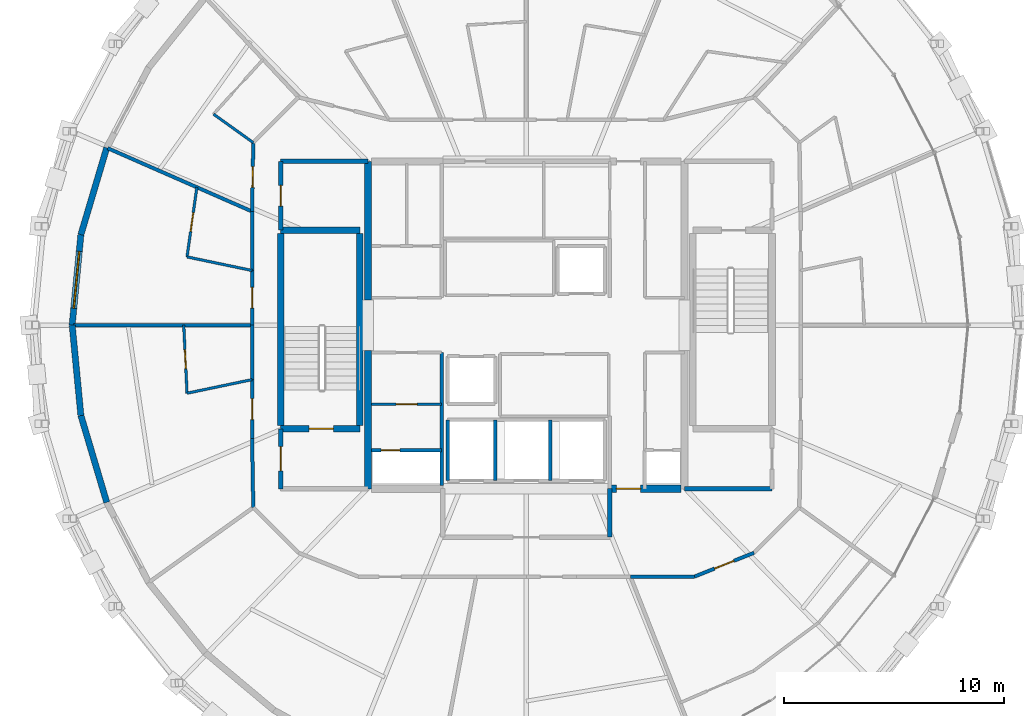
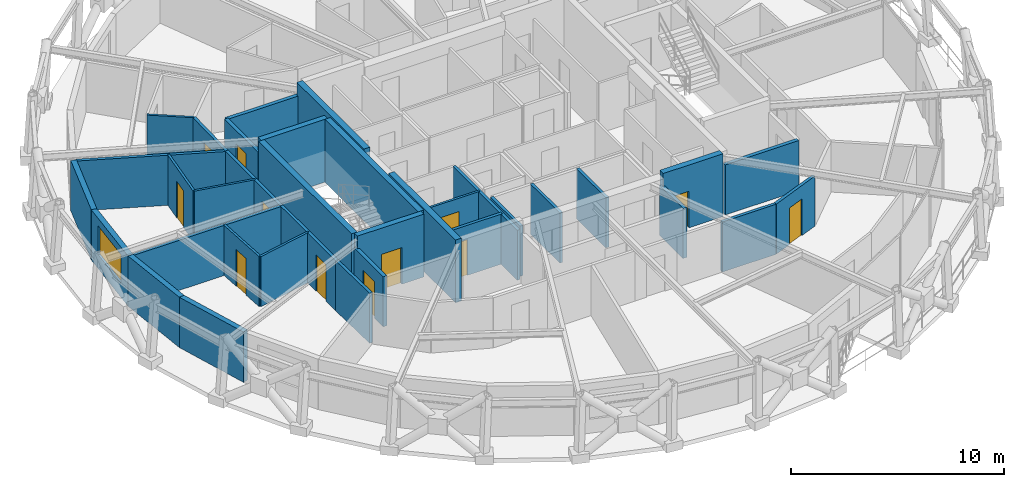
# One storey, part 11 of 15: 37 walls, 12 doors, 1 window, 13 openings.
"""IFC4 building model written with IfcOpenShell, lengths in metres."""

import ifcopenshell
import ifcopenshell.guid

model = None  # the IFC model being written
_history = None  # IfcOwnerHistory: only IFC2X3 demands one
_inside = {}  # id of a spatial element -> (the spatial element, [elements in it])
_under = {}  # id of a project, library or spatial element -> (it, [spatial elements below it])
_declared = {}  # id of a project -> (the project, [libraries it declares])
_typed = {}  # id of a type object -> (the type object, [elements of that type])
_made_of = {}  # id of a material, layer set ... -> (it, [elements and type objects made of it])


def new_model(schema):
    """Start an empty IFC model of exactly this schema.

    Asked for "IFC4X3", IfcOpenShell would pick the latest addendum, in which some entities
    have other attributes; the version numbers below select the first issue.
    IFC2X3 requires an IfcOwnerHistory on every rooted entity: one is made here for all.
    """
    global model, _history
    if schema == "IFC4X3":
        model = ifcopenshell.file(schema_version=(4, 3, 0, 0))
    else:
        model = ifcopenshell.file(schema=schema)
    _inside.clear()
    _under.clear()
    _declared.clear()
    _typed.clear()
    _made_of.clear()
    _history = None
    if model.schema == "IFC2X3":
        org = make("IfcOrganization", Name="unknown")
        user = make(
            "IfcPersonAndOrganization",
            ThePerson=make("IfcPerson", FamilyName="unknown"),
            TheOrganization=org,
        )
        app = make(
            "IfcApplication",
            ApplicationDeveloper=org,
            Version="unknown",
            ApplicationFullName="unknown",
            ApplicationIdentifier="unknown",
        )
        _history = make(
            "IfcOwnerHistory",
            OwningUser=user,
            OwningApplication=app,
            ChangeAction="ADDED",
            CreationDate=0,
        )
    return model


def make(cls, **values):
    """One entity of the class cls with the attributes given. An attribute that is None is left unset."""
    return model.create_entity(
        cls, **{name: value for name, value in values.items() if value is not None}
    )


def rooted(cls, **values):
    """An entity with a GlobalId (a new one), such as an element, a storey or a relation."""
    return make(cls, GlobalId=ifcopenshell.guid.new(), OwnerHistory=_history, **values)


def si_unit(unit_type, name, prefix=None):
    """IfcSIUnit, for example si_unit("LENGTHUNIT", "METRE", prefix="MILLI")."""
    return make("IfcSIUnit", UnitType=unit_type, Prefix=prefix, Name=name)


def assignment(units):
    """IfcUnitAssignment: the units of a project."""
    return None if units is None else make("IfcUnitAssignment", Units=units)


def point(xyz):
    """IfcCartesianPoint."""
    return None if xyz is None else make("IfcCartesianPoint", Coordinates=xyz)


def direction(xyz):
    """IfcDirection."""
    return None if xyz is None else make("IfcDirection", DirectionRatios=xyz)


def frame(location, z_axis=None, x_axis=None):
    """IfcAxis2Placement3D, a coordinate frame: its origin and axes. An axis left out is left unset."""
    return make(
        "IfcAxis2Placement3D",
        Location=point(location),
        Axis=direction(z_axis),
        RefDirection=direction(x_axis),
    )


def frame_2d(location, x_axis=None):
    """IfcAxis2Placement2D, a coordinate frame in the plane: its origin and x axis."""
    return make(
        "IfcAxis2Placement2D", Location=point(location), RefDirection=direction(x_axis)
    )


def origin():
    """The frame at (0, 0, 0) with its axes left unset."""
    return frame((0.0, 0.0, 0.0))


def place(relative_to, where):
    """IfcLocalPlacement: puts the frame where relative to a parent placement (None: the world)."""
    return make(
        "IfcLocalPlacement", PlacementRelTo=relative_to, RelativePlacement=where
    )


def context(
    kind, dimensions, precision=None, world=None, true_north=None, identifier=None
):
    """IfcGeometricRepresentationContext, for example the 3D "Model" context."""
    return make(
        "IfcGeometricRepresentationContext",
        ContextIdentifier=identifier,
        ContextType=kind,
        CoordinateSpaceDimension=dimensions,
        Precision=precision,
        WorldCoordinateSystem=world,
        TrueNorth=true_north,
    )


def subcontext(parent, identifier, kind, view, scale=None):
    """IfcGeometricRepresentationSubContext, for example "Body" below "Model"."""
    return make(
        "IfcGeometricRepresentationSubContext",
        ContextIdentifier=identifier,
        ContextType=kind,
        ParentContext=parent,
        TargetScale=scale,
        TargetView=view,
    )


def project(units=None, contexts=None):
    """IfcProject with its units and contexts."""
    return rooted(
        "IfcProject",
        Name="project",
        RepresentationContexts=contexts,
        UnitsInContext=assignment(units),
    )


def spatial(cls, under=None, at=None, **own):
    """A site, building, storey or space (cls), placed at a placement, below another one or the project."""
    s = rooted(cls, ObjectPlacement=at, **own)
    if under is not None:
        _under.setdefault(under.id(), (under, []))[1].append(s)
    return s


def profile(cls, at=None, kind="AREA", **sizes):
    """A parametric profile (cls). Its sizes go by their IFC names, for example OverallWidth=200.0."""
    return make(cls, ProfileType=kind, Position=at, **sizes)


def rectangle(**sizes):
    """IfcRectangleProfileDef."""
    return profile("IfcRectangleProfileDef", **sizes)


def extrude(swept, where, along, depth):
    """IfcExtrudedAreaSolid: the profile swept, set in the frame where, extruded along a direction by depth."""
    return make(
        "IfcExtrudedAreaSolid",
        SweptArea=swept,
        Position=where,
        ExtrudedDirection=direction(along),
        Depth=depth,
    )


def shape(context_of_items, identifier, shape_type, items):
    """IfcShapeRepresentation: the items that make up one representation, for example the "Body"."""
    return make(
        "IfcShapeRepresentation",
        ContextOfItems=context_of_items,
        RepresentationIdentifier=identifier,
        RepresentationType=shape_type,
        Items=items,
    )


def material(Name=None, Category=None):
    """IfcMaterial."""
    return make("IfcMaterial", Name=Name, Category=Category)


def layer(
    of_material, thickness, ventilated=None, Name=None, Category=None, Priority=None
):
    """IfcMaterialLayer: one layer of a wall or slab, of a material (None: an air gap)."""
    return make(
        "IfcMaterialLayer",
        Material=of_material,
        LayerThickness=thickness,
        IsVentilated=ventilated,
        Name=Name,
        Category=Category,
        Priority=Priority,
    )


def layer_set(layers, Name=None):
    """IfcMaterialLayerSet."""
    return make("IfcMaterialLayerSet", MaterialLayers=layers, LayerSetName=Name)


def made_of(thing, what):
    """Note that an element or type object is made of a material, layer set ...; save() writes the relation."""
    if what is not None:
        _made_of.setdefault(what.id(), (what, []))[1].append(thing)
    return thing


def type_object(cls, material=None, **own):
    """A type object (cls), such as IfcWallType, which elements share."""
    return made_of(rooted(cls, **own), material)


def element(
    cls,
    number,
    at=None,
    inside=None,
    cuts=None,
    type_object=None,
    material=None,
    context=None,
    identifier="Body",
    shape_type=None,
    held_by="IfcProductDefinitionShape",
    body=None,
    shapes=None,
    **own,
):
    """One element of the class cls, such as IfcWall. Its Tag is "e" and its number.

    at: its placement. inside: the storey or other place that contains it. cuts: it is an
    opening in that element (IfcRelVoidsElement). A single representation is given by context,
    identifier, shape_type and body (its items); several are given by shapes. held_by: the class
    of the entity that holds the representations. save() writes the other relations.
    """
    e = rooted(cls, Tag="e%d" % number, ObjectPlacement=at, **own)
    if body is not None:
        shapes = [shape(context, identifier, shape_type, body)]
    if shapes is not None:
        e.Representation = make(held_by, Representations=shapes)
    if inside is not None:
        _inside.setdefault(inside.id(), (inside, []))[1].append(e)
    if cuts is not None:
        rooted(
            "IfcRelVoidsElement", RelatingBuildingElement=cuts, RelatedOpeningElement=e
        )
    if type_object is not None:
        _typed.setdefault(type_object.id(), (type_object, []))[1].append(e)
    return made_of(e, material)


def fill(opening, filler):
    """IfcRelFillsElement: the door or window that sits in an opening."""
    return rooted(
        "IfcRelFillsElement",
        RelatingOpeningElement=opening,
        RelatedBuildingElement=filler,
    )


def aggregate(whole, parts):
    """IfcRelAggregates: a whole, such as a stair, and the parts it consists of."""
    return rooted("IfcRelAggregates", RelatingObject=whole, RelatedObjects=parts)


def save(model, path):
    """Write the relations noted so far, then the file.

    IfcRelAggregates (storeys below a building ...), IfcRelContainedInSpatialStructure (elements
    in a storey), IfcRelDefinesByType, IfcRelAssociatesMaterial and IfcRelDeclares: one each for
    every whole, place, type object, material and project.
    """
    for whole, parts in _under.values():
        aggregate(whole, parts)
    for where, things in _inside.values():
        rooted(
            "IfcRelContainedInSpatialStructure",
            RelatedElements=things,
            RelatingStructure=where,
        )
    for kind, things in _typed.values():
        rooted("IfcRelDefinesByType", RelatedObjects=things, RelatingType=kind)
    for what, things in _made_of.values():
        rooted("IfcRelAssociatesMaterial", RelatedObjects=things, RelatingMaterial=what)
    for by, libraries in _declared.values():
        rooted("IfcRelDeclares", RelatingContext=by, RelatedDefinitions=libraries)
    model.write(path)


model = new_model("IFC4")

# Units and contexts
model_context = context("Model", 3, precision=1e-05, world=origin(), true_north=direction((0.0, 1.0)))
body_context = subcontext(model_context, "Body", "Model", "MODEL_VIEW")
ifc_project = project(units=[si_unit("LENGTHUNIT", "METRE"), si_unit("AREAUNIT", "SQUARE_METRE"), si_unit("VOLUMEUNIT", "CUBIC_METRE"), si_unit("PLANEANGLEUNIT", "RADIAN"), si_unit("MASSUNIT", "GRAM", prefix="KILO")], contexts=[model_context])

# Site, building, storey
site_placement = place(None, origin())
site = spatial("IfcSite", under=ifc_project, at=site_placement, CompositionType="ELEMENT")
building_placement = place(site_placement, origin())
building = spatial("IfcBuilding", under=site, at=building_placement, Name="Veldorina Hangang Commons", CompositionType="ELEMENT")
storey_placement = place(building_placement, frame((0.0, 0.0, 254.39990234375)))
storey = spatial("IfcBuildingStorey", under=building, at=storey_placement, Name="L66", CompositionType="ELEMENT", Elevation=254.39990234375)

# Walls
ifc_material_1 = material(Name="Concrete C50/60", Category="concrete")
ifc_layer_1 = layer(ifc_material_1, 0.320068359375)
ifc_layer_set_1 = layer_set([ifc_layer_1], Name="Concrete C50/60")
wall_type_1 = type_object("IfcWallType", Name="CW-RC320-C50", PredefinedType="SHEAR", material=ifc_layer_set_1)
for number, where, z_axis, x_axis, name in (
    (1, (24.800048828125, 16.550048828125, 0.0), (0.0, 0.0, 1.0), (0.0, 1.0, 0.0), "L66 W south core shear wall"),
    (2, (24.800048828125, 25.14990234375, 0.0), (0.0, 0.0, 1.0), (0.0, 1.0, 0.0), "L66 W north core shear wall"),
):
    element("IfcWall", number, at=place(storey_placement, frame(where, z_axis=z_axis, x_axis=x_axis)), inside=storey, type_object=wall_type_1, Name=name, PredefinedType="SHEAR", context=body_context, shape_type="SweptSolid", body=[
        extrude(rectangle(XDim=6.300048828125, YDim=0.320068359375, at=frame_2d((3.14990234375, 0.0))), origin(), (0.0, 0.0, 1.0), 3.60009765625),
    ])

# Wall, opening, door
wall_1_placement = place(storey_placement, frame((35.800048828125, 16.550048828125, 0.0), z_axis=(0.0, 0.0, 1.0), x_axis=(1.0, 0.0, 0.0)))
wall_1 = element("IfcWall", 3, at=wall_1_placement, inside=storey, type_object=wall_type_1, Name="L66 south-east core shear wall", PredefinedType="SHEAR", context=body_context, shape_type="SweptSolid", body=[
    extrude(rectangle(XDim=3.239990234375, YDim=0.320068359375, at=frame_2d((1.6201171875, 0.0))), origin(), (0.0, 0.0, 1.0), 3.60009765625),
])
opening_1_placement = place(wall_1_placement, frame((0.300048828125, 0.0, 0.0)))
opening_1 = element("IfcOpeningElement", 4, at=opening_1_placement, cuts=wall_1, Name="Opening D-08", PredefinedType="OPENING", context=body_context, shape_type="SweptSolid", body=[
    extrude(rectangle(XDim=1.10009765625, YDim=2.10009765625, at=frame_2d((0.550048828125, 1.050048828125))), frame((0.0, 0.169921875, 0.0), z_axis=(0.0, -1.0, 0.0), x_axis=(1.0, 0.0, 0.0)), (0.0, 0.0, 1.0), 0.340087890625),
])
ifc_material_2 = material(Name="Steel Fire-Rated Smoke Seal", Category="steel")
door_type_1 = type_object("IfcDoorType", Name="DR-FIRE-1100", OperationType="SINGLE_SWING_RIGHT", PredefinedType="DOOR", material=ifc_material_2)
door_1_placement = place(opening_1_placement, origin())
door_1 = element("IfcDoor", 5, at=door_1_placement, inside=storey, type_object=door_type_1, Name="L66 central lift lobby south corridor door", OperationType="SINGLE_SWING_RIGHT", OverallHeight=2.10009765625, OverallWidth=1.10009765625, PredefinedType="DOOR", context=body_context, shape_type="SweptSolid", body=[
    extrude(rectangle(XDim=1.10009765625, YDim=2.10009765625, at=frame_2d((0.550048828125, 1.050048828125))), frame((0.0, 0.02490234375, 0.0), z_axis=(0.0, -1.0, 0.0), x_axis=(1.0, 0.0, 0.0)), (0.0, 0.0, 1.0), 0.050048828125),
])
fill(opening_1, door_1)

# Wall
ifc_material_3 = material(Name="Stone Roman Travertine", Category="masonry")
ifc_layer_2 = layer(ifc_material_3, 0.280029296875)
ifc_layer_set_2 = layer_set([ifc_layer_2], Name="Stone Roman Travertine")
wall_type_2 = type_object("IfcWallType", Name="EW-TRAV-280", PredefinedType="STANDARD", material=ifc_layer_set_2)
wall_2_placement = place(storey_placement, frame((12.90380859375, 32.069091796875, 0.0), z_axis=(0.0, 0.0, 1.0), x_axis=(-0.285034907143, -0.958517136889, 0.0)))
element("IfcWall", 6, at=wall_2_placement, inside=storey, type_object=wall_type_2, Name="L66 travertine facade wall 14", PredefinedType="STANDARD", context=body_context, shape_type="SweptSolid", body=[
    extrude(rectangle(XDim=4.126708984375, YDim=0.280029296875, at=frame_2d((2.0634765625, 0.0))), origin(), (0.0, 0.0, 1.0), 2.880126953125),
])

# Wall, opening, window
wall_3_placement = place(storey_placement, frame((11.7275390625, 28.113525390625, 0.0), z_axis=(0.0, 0.0, 1.0), x_axis=(-0.096116513516, -0.995370089881, 0.0)))
wall_3 = element("IfcWall", 7, at=wall_3_placement, inside=storey, type_object=wall_type_2, Name="L66 travertine facade wall 15", PredefinedType="STANDARD", context=body_context, shape_type="SweptSolid", body=[
    extrude(rectangle(XDim=4.132568359375, YDim=0.280029296875, at=frame_2d((2.06640625, 0.0))), origin(), (0.0, 0.0, 1.0), 2.880126953125),
])
opening_2_placement = place(wall_3_placement, frame((0.766357421875, 0.0, 0.800048828125)))
opening_2 = element("IfcOpeningElement", 8, at=opening_2_placement, cuts=wall_3, Name="Opening W-02", PredefinedType="OPENING", context=body_context, shape_type="SweptSolid", body=[
    extrude(rectangle(XDim=2.60009765625, YDim=1.64990234375, at=frame_2d((1.300048828125, 0.824951171875))), frame((0.0, 0.14990234375, 0.0), z_axis=(0.0, -1.0, 0.0), x_axis=(1.0, 0.0, 0.0)), (0.0, 0.0, 1.0), 0.300048828125),
])
ifc_material_4 = material(Name="Glass Low-E Triple IGU", Category="glass")
window_type = type_object("IfcWindowType", Name="WIN-TWR-2600", PartitioningType="SINGLE_PANEL", PredefinedType="WINDOW", material=ifc_material_4)
window_placement = place(opening_2_placement, origin())
window = element("IfcWindow", 9, at=window_placement, inside=storey, type_object=window_type, Name="L66 facade window 15", OverallHeight=1.64990234375, OverallWidth=2.60009765625, PartitioningType="SINGLE_PANEL", PredefinedType="WINDOW", context=body_context, shape_type="SweptSolid", body=[
    extrude(rectangle(XDim=2.60009765625, YDim=1.64990234375, at=frame_2d((1.300048828125, 0.824951171875))), frame((0.0, 0.030029296875, 0.0), z_axis=(0.0, -1.0, 0.0), x_axis=(1.0, 0.0, 0.0)), (0.0, 0.0, 1.0), 0.06005859375),
])
fill(opening_2, window)

# Walls
wall_4_placement = place(storey_placement, frame((11.330322265625, 24.0, 0.0), z_axis=(0.0, 0.0, 1.0), x_axis=(0.096116513516, -0.995370089881, 0.0)))
element("IfcWall", 10, at=wall_4_placement, inside=storey, type_object=wall_type_2, Name="L66 travertine facade wall 16", PredefinedType="STANDARD", context=body_context, shape_type="SweptSolid", body=[
    extrude(rectangle(XDim=4.132568359375, YDim=0.280029296875, at=frame_2d((2.06640625, 0.0))), origin(), (0.0, 0.0, 1.0), 2.880126953125),
])
wall_5_placement = place(storey_placement, frame((11.7275390625, 19.886474609375, 0.0), z_axis=(0.0, 0.0, 1.0), x_axis=(0.285034907143, -0.958517136889, 0.0)))
element("IfcWall", 11, at=wall_5_placement, inside=storey, type_object=wall_type_2, Name="L66 travertine facade wall 17", PredefinedType="STANDARD", context=body_context, shape_type="SweptSolid", body=[
    extrude(rectangle(XDim=4.126708984375, YDim=0.280029296875, at=frame_2d((2.0634765625, 0.0))), origin(), (0.0, 0.0, 1.0), 2.880126953125),
])
ifc_layer_3 = layer(ifc_material_1, 0.300048828125)
ifc_layer_set_3 = layer_set([ifc_layer_3], Name="Concrete C50/60")
wall_type_3 = type_object("IfcWallType", Name="SW-STAIR-300", PredefinedType="SHEAR", material=ifc_layer_set_3)
for number, where, z_axis, x_axis, name in (
    (12, (20.820068359375, 19.429931640625, 0.0), (0.0, 0.0, 1.0), (0.0, 1.0, 0.0), "L66 ST1 outer stair shear wall"),
    (13, (24.419921875, 19.429931640625, 0.0), (0.0, 0.0, 1.0), (0.0, 1.0, 0.0), "L66 ST1 inner stair shear wall"),
):
    element("IfcWall", number, at=place(storey_placement, frame(where, z_axis=z_axis, x_axis=x_axis)), inside=storey, type_object=wall_type_3, Name=name, PredefinedType="SHEAR", context=body_context, shape_type="SweptSolid", body=[
        extrude(rectangle(XDim=8.739990234375, YDim=0.300048828125, at=frame_2d((4.3701171875, 0.0))), origin(), (0.0, 0.0, 1.0), 3.60009765625),
    ])

# Wall, opening, door
wall_6_placement = place(storey_placement, frame((20.820068359375, 19.280029296875, 0.0), z_axis=(0.0, 0.0, 1.0), x_axis=(1.0, 0.0, 0.0)))
wall_6 = element("IfcWall", 14, at=wall_6_placement, inside=storey, type_object=wall_type_3, Name="L66 ST1 south stair shear wall", PredefinedType="SHEAR", context=body_context, shape_type="SweptSolid", body=[
    extrude(rectangle(XDim=3.599853515625, YDim=0.300048828125, at=frame_2d((1.7998046875, 0.0))), origin(), (0.0, 0.0, 1.0), 3.60009765625),
])
opening_3_placement = place(wall_6_placement, frame((1.300048828125, 0.0, 0.0)))
opening_3 = element("IfcOpeningElement", 15, at=opening_3_placement, cuts=wall_6, Name="Opening D-08", PredefinedType="OPENING", context=body_context, shape_type="SweptSolid", body=[
    extrude(rectangle(XDim=1.10009765625, YDim=2.10009765625, at=frame_2d((0.550048828125, 1.050048828125))), frame((0.0, 0.16015625, 0.0), z_axis=(0.0, -1.0, 0.0), x_axis=(1.0, 0.0, 0.0)), (0.0, 0.0, 1.0), 0.320068359375),
])
door_2_placement = place(opening_3_placement, origin())
door_2 = element("IfcDoor", 16, at=door_2_placement, inside=storey, type_object=door_type_1, Name="L66 Special Escape Stair ST-1 door", OperationType="SINGLE_SWING_LEFT", OverallHeight=2.10009765625, OverallWidth=1.10009765625, PredefinedType="DOOR", context=body_context, shape_type="SweptSolid", body=[
    extrude(rectangle(XDim=1.10009765625, YDim=2.10009765625, at=frame_2d((0.550048828125, 1.050048828125))), frame((0.0, 0.02490234375, 0.0), z_axis=(0.0, -1.0, 0.0), x_axis=(1.0, 0.0, 0.0)), (0.0, 0.0, 1.0), 0.050048828125),
])
fill(opening_3, door_2)

# Walls
wall_7_placement = place(storey_placement, frame((20.820068359375, 28.320068359375, 0.0), z_axis=(0.0, 0.0, 1.0), x_axis=(1.0, 0.0, 0.0)))
element("IfcWall", 17, at=wall_7_placement, inside=storey, type_object=wall_type_3, Name="L66 ST1 north stair shear wall", PredefinedType="SHEAR", context=body_context, shape_type="SweptSolid", body=[
    extrude(rectangle(XDim=3.599853515625, YDim=0.300048828125, at=frame_2d((1.7998046875, 0.0))), origin(), (0.0, 0.0, 1.0), 3.60009765625),
])
ifc_material_5 = material(Name="Gypsum Fire-Rated Twin Stud Wall", Category="gypsum")
ifc_layer_4 = layer(ifc_material_5, 0.159912109375)
ifc_layer_set_4 = layer_set([ifc_layer_4], Name="Gypsum Fire-Rated Twin Stud Wall")
wall_type_4 = type_object("IfcWallType", Name="WL-FIRE-160", PredefinedType="SOLIDWALL", material=ifc_layer_set_4)
for number, where, z_axis, x_axis, name in (
    (18, (28.419921875, 16.919921875, 0.0), (0.0, 0.0, 1.0), (0.0, 1.0, 0.0), "L66 FFL-1 west shaft wall 025"),
    (19, (30.580078125, 16.919921875, 0.0), (0.0, 0.0, 1.0), (0.0, 1.0, 0.0), "L66 FFL-1 east shaft wall 026"),
    (20, (33.080078125, 16.919921875, 0.0), (0.0, 0.0, 1.0), (0.0, 1.0, 0.0), "L66 FFL-2 east shaft wall 027"),
):
    element("IfcWall", number, at=place(storey_placement, frame(where, z_axis=z_axis, x_axis=x_axis)), inside=storey, type_object=wall_type_4, Name=name, PredefinedType="SOLIDWALL", context=body_context, shape_type="SweptSolid", body=[
        extrude(rectangle(XDim=2.760009765625, YDim=0.159912109375, at=frame_2d((1.3798828125, 0.0))), origin(), (0.0, 0.0, 1.0), 2.8701171875),
    ])

# Wall, opening, door
wall_8_placement = place(storey_placement, frame((24.949951171875, 18.300048828125, 0.0), z_axis=(0.0, 0.0, 1.0), x_axis=(1.0, 0.0, 0.0)))
wall_8 = element("IfcWall", 21, at=wall_8_placement, inside=storey, type_object=wall_type_4, Name="L66 Electrical riser wall 041", PredefinedType="SOLIDWALL", context=body_context, shape_type="SweptSolid", body=[
    extrude(rectangle(XDim=3.199951171875, YDim=0.159912109375, at=frame_2d((1.60009765625, 0.0))), origin(), (0.0, 0.0, 1.0), 2.8701171875),
])
opening_4_placement = place(wall_8_placement, frame((0.43994140625, 0.0, 0.0)))
opening_4 = element("IfcOpeningElement", 22, at=opening_4_placement, cuts=wall_8, Name="Opening D-12", PredefinedType="OPENING", context=body_context, shape_type="SweptSolid", body=[
    extrude(rectangle(XDim=0.860107421875, YDim=2.050048828125, at=frame_2d((0.43017578125, 1.02490234375))), frame((0.0, 0.08984375, 0.0), z_axis=(0.0, -1.0, 0.0), x_axis=(1.0, 0.0, 0.0)), (0.0, 0.0, 1.0), 0.179931640625),
])
ifc_material_6 = material(Name="Steel Insulated Riser Access", Category="steel")
door_type_2 = type_object("IfcDoorType", Name="DR-TRAP-860", OperationType="SINGLE_SWING_LEFT", PredefinedType="TRAPDOOR", material=ifc_material_6)
door_3_placement = place(opening_4_placement, origin())
door_3 = element("IfcDoor", 23, at=door_3_placement, inside=storey, type_object=door_type_2, Name="L66 Electrical riser access door 015", OperationType="SINGLE_SWING_LEFT", OverallHeight=2.050048828125, OverallWidth=0.860107421875, PredefinedType="TRAPDOOR", context=body_context, shape_type="SweptSolid", body=[
    extrude(rectangle(XDim=0.860107421875, YDim=2.050048828125, at=frame_2d((0.43017578125, 1.02490234375))), frame((0.0, 0.02490234375, 0.0), z_axis=(0.0, -1.0, 0.0), x_axis=(1.0, 0.0, 0.0)), (0.0, 0.0, 1.0), 0.050048828125),
])
fill(opening_4, door_3)

# Wall
wall_9_placement = place(storey_placement, frame((28.14990234375, 16.699951171875, 0.0), z_axis=(0.0, 0.0, 1.0), x_axis=(0.0, 1.0, 0.0)))
element("IfcWall", 24, at=wall_9_placement, inside=storey, type_object=wall_type_4, Name="L66 SW core inner wall 042", PredefinedType="SOLIDWALL", context=body_context, shape_type="SweptSolid", body=[
    extrude(rectangle(XDim=6.050048828125, YDim=0.159912109375, at=frame_2d((3.02490234375, 0.0))), origin(), (0.0, 0.0, 1.0), 2.8701171875),
])

# Wall, opening, door
wall_10_placement = place(storey_placement, frame((19.5732421875, 32.30322265625, 0.0), z_axis=(0.0, 0.0, 1.0), x_axis=(-0.016981035134, -0.999855811828, 0.0)))
wall_10 = element("IfcWall", 25, at=wall_10_placement, inside=storey, type_object=wall_type_4, Name="L66 Compact collar outer wall 13 067", PredefinedType="SOLIDWALL", context=body_context, shape_type="SweptSolid", body=[
    extrude(rectangle(XDim=3.13427734375, YDim=0.159912109375, at=frame_2d((1.567138671875, 0.0))), origin(), (0.0, 0.0, 1.0), 2.8701171875),
])
opening_5_placement = place(wall_10_placement, frame((1.09228515625, 0.0, 0.0)))
opening_5 = element("IfcOpeningElement", 26, at=opening_5_placement, cuts=wall_10, Name="Opening D-03", PredefinedType="OPENING", context=body_context, shape_type="SweptSolid", body=[
    extrude(rectangle(XDim=0.949951171875, YDim=2.10009765625, at=frame_2d((0.47509765625, 1.050048828125))), frame((0.0, 0.08984375, 0.0), z_axis=(0.0, -1.0, 0.0), x_axis=(1.0, 0.0, 0.0)), (0.0, 0.0, 1.0), 0.179931640625),
])
ifc_material_7 = material(Name="Timber Fire-Rated Entrance Core", Category="wood")
door_type_3 = type_object("IfcDoorType", Name="DR-UNIT-950", OperationType="SINGLE_SWING_RIGHT", PredefinedType="DOOR", material=ifc_material_7)
door_4_placement = place(opening_5_placement, origin())
door_4 = element("IfcDoor", 27, at=door_4_placement, inside=storey, type_object=door_type_3, Name="L66 Studio 8 entrance door 038", OperationType="SINGLE_SWING_RIGHT", OverallHeight=2.10009765625, OverallWidth=0.949951171875, PredefinedType="DOOR", context=body_context, shape_type="SweptSolid", body=[
    extrude(rectangle(XDim=0.949951171875, YDim=2.10009765625, at=frame_2d((0.47509765625, 1.050048828125))), frame((0.0, 0.02490234375, 0.0), z_axis=(0.0, -1.0, 0.0), x_axis=(1.0, 0.0, 0.0)), (0.0, 0.0, 1.0), 0.050048828125),
])
fill(opening_5, door_4)

# Wall
wall_11_placement = place(storey_placement, frame((19.52001953125, 29.16943359375, 0.0), z_axis=(0.0, 0.0, 1.0), x_axis=(0.0, -1.0, 0.0)))
element("IfcWall", 28, at=wall_11_placement, inside=storey, type_object=wall_type_4, Name="L66 Compact collar outer wall 14 068", PredefinedType="SOLIDWALL", context=body_context, shape_type="SweptSolid", body=[
    extrude(rectangle(XDim=2.68701171875, YDim=0.159912109375, at=frame_2d((1.343505859375, 0.0))), origin(), (0.0, 0.0, 1.0), 2.8701171875),
])

# Wall, opening, door
wall_12_placement = place(storey_placement, frame((19.52001953125, 26.482421875, 0.0), z_axis=(0.0, 0.0, 1.0), x_axis=(0.0, -1.0, 0.0)))
wall_12 = element("IfcWall", 29, at=wall_12_placement, inside=storey, type_object=wall_type_4, Name="L66 Compact collar outer wall 15 069", PredefinedType="SOLIDWALL", context=body_context, shape_type="SweptSolid", body=[
    extrude(rectangle(XDim=2.482421875, YDim=0.159912109375, at=frame_2d((1.2412109375, 0.0))), origin(), (0.0, 0.0, 1.0), 2.8701171875),
])
opening_6_placement = place(wall_12_placement, frame((0.76611328125, 0.0, 0.0)))
opening_6 = element("IfcOpeningElement", 30, at=opening_6_placement, cuts=wall_12, Name="Opening D-03", PredefinedType="OPENING", context=body_context, shape_type="SweptSolid", body=[
    extrude(rectangle(XDim=0.949951171875, YDim=2.10009765625, at=frame_2d((0.47509765625, 1.050048828125))), frame((0.0, 0.08984375, 0.0), z_axis=(0.0, -1.0, 0.0), x_axis=(1.0, 0.0, 0.0)), (0.0, 0.0, 1.0), 0.179931640625),
])
door_5_placement = place(opening_6_placement, origin())
door_5 = element("IfcDoor", 31, at=door_5_placement, inside=storey, type_object=door_type_3, Name="L66 Studio 9 entrance door 040", OperationType="SINGLE_SWING_RIGHT", OverallHeight=2.10009765625, OverallWidth=0.949951171875, PredefinedType="DOOR", context=body_context, shape_type="SweptSolid", body=[
    extrude(rectangle(XDim=0.949951171875, YDim=2.10009765625, at=frame_2d((0.47509765625, 1.050048828125))), frame((0.0, 0.02490234375, 0.0), z_axis=(0.0, -1.0, 0.0), x_axis=(1.0, 0.0, 0.0)), (0.0, 0.0, 1.0), 0.050048828125),
])
fill(opening_6, door_5)

# Wall
wall_13_placement = place(storey_placement, frame((19.52001953125, 24.0, 0.0), z_axis=(0.0, 0.0, 1.0), x_axis=(0.0, -1.0, 0.0)))
element("IfcWall", 32, at=wall_13_placement, inside=storey, type_object=wall_type_4, Name="L66 Compact collar outer wall 16 070", PredefinedType="SOLIDWALL", context=body_context, shape_type="SweptSolid", body=[
    extrude(rectangle(XDim=2.482421875, YDim=0.159912109375, at=frame_2d((1.2412109375, 0.0))), origin(), (0.0, 0.0, 1.0), 2.8701171875),
])

# Wall, opening, door
wall_14_placement = place(storey_placement, frame((19.52001953125, 21.517578125, 0.0), z_axis=(0.0, 0.0, 1.0), x_axis=(0.0, -1.0, 0.0)))
wall_14 = element("IfcWall", 33, at=wall_14_placement, inside=storey, type_object=wall_type_4, Name="L66 Compact collar outer wall 17 071", PredefinedType="SOLIDWALL", context=body_context, shape_type="SweptSolid", body=[
    extrude(rectangle(XDim=2.68701171875, YDim=0.159912109375, at=frame_2d((1.343505859375, 0.0))), origin(), (0.0, 0.0, 1.0), 2.8701171875),
])
opening_7_placement = place(wall_14_placement, frame((0.868408203125, 0.0, 0.0)))
opening_7 = element("IfcOpeningElement", 34, at=opening_7_placement, cuts=wall_14, Name="Opening D-03", PredefinedType="OPENING", context=body_context, shape_type="SweptSolid", body=[
    extrude(rectangle(XDim=0.949951171875, YDim=2.10009765625, at=frame_2d((0.47509765625, 1.050048828125))), frame((0.0, 0.08984375, 0.0), z_axis=(0.0, -1.0, 0.0), x_axis=(1.0, 0.0, 0.0)), (0.0, 0.0, 1.0), 0.179931640625),
])
door_6_placement = place(opening_7_placement, origin())
door_6 = element("IfcDoor", 35, at=door_6_placement, inside=storey, type_object=door_type_3, Name="L66 Studio 10 entrance door 042", OperationType="SINGLE_SWING_RIGHT", OverallHeight=2.10009765625, OverallWidth=0.949951171875, PredefinedType="DOOR", context=body_context, shape_type="SweptSolid", body=[
    extrude(rectangle(XDim=0.949951171875, YDim=2.10009765625, at=frame_2d((0.47509765625, 1.050048828125))), frame((0.0, 0.02490234375, 0.0), z_axis=(0.0, -1.0, 0.0), x_axis=(1.0, 0.0, 0.0)), (0.0, 0.0, 1.0), 0.050048828125),
])
fill(opening_7, door_6)

# Walls
wall_15_placement = place(storey_placement, frame((19.52001953125, 18.83056640625, 0.0), z_axis=(0.0, 0.0, 1.0), x_axis=(0.016981035134, -0.999855811828, 0.0)))
element("IfcWall", 36, at=wall_15_placement, inside=storey, type_object=wall_type_4, Name="L66 Compact collar outer wall 18 072", PredefinedType="SOLIDWALL", context=body_context, shape_type="SweptSolid", body=[
    extrude(rectangle(XDim=3.13427734375, YDim=0.159912109375, at=frame_2d((1.567138671875, 0.0))), origin(), (0.0, 0.0, 1.0), 2.8701171875),
])
wall_16_placement = place(storey_placement, frame((36.74267578125, 12.550048828125, 0.0), z_axis=(0.0, 0.0, 1.0), x_axis=(1.0, 0.0, 0.0)))
element("IfcWall", 37, at=wall_16_placement, inside=storey, type_object=wall_type_4, Name="L66 Compact collar outer wall 26 080", PredefinedType="SOLIDWALL", context=body_context, shape_type="SweptSolid", body=[
    extrude(rectangle(XDim=2.907958984375, YDim=0.159912109375, at=frame_2d((1.4541015625, 0.0))), origin(), (0.0, 0.0, 1.0), 2.8701171875),
])

# Wall, opening, door
wall_17_placement = place(storey_placement, frame((39.650634765625, 12.550048828125, 0.0), z_axis=(0.0, 0.0, 1.0), x_axis=(0.92856882165, 0.371160266542, 0.0)))
wall_17 = element("IfcWall", 38, at=wall_17_placement, inside=storey, type_object=wall_type_4, Name="L66 Compact collar outer wall 27 081", PredefinedType="SOLIDWALL", context=body_context, shape_type="SweptSolid", body=[
    extrude(rectangle(XDim=2.923095703125, YDim=0.159912109375, at=frame_2d((1.46142578125, 0.0))), origin(), (0.0, 0.0, 1.0), 2.8701171875),
])
opening_8_placement = place(wall_17_placement, frame((0.986572265625, 0.0, 0.0)))
opening_8 = element("IfcOpeningElement", 39, at=opening_8_placement, cuts=wall_17, Name="Opening D-02", PredefinedType="OPENING", context=body_context, shape_type="SweptSolid", body=[
    extrude(rectangle(XDim=0.949951171875, YDim=2.10009765625, at=frame_2d((0.47509765625, 1.050048828125))), frame((0.0, 0.08984375, 0.0), z_axis=(0.0, -1.0, 0.0), x_axis=(1.0, 0.0, 0.0)), (0.0, 0.0, 1.0), 0.179931640625),
])
ifc_material_8 = material(Name="Timber Solid Core Acoustic", Category="wood")
door_type_4 = type_object("IfcDoorType", Name="DR-INT-950", OperationType="SINGLE_SWING_LEFT", PredefinedType="DOOR", material=ifc_material_8)
door_7_placement = place(opening_8_placement, origin())
door_7 = element("IfcDoor", 40, at=door_7_placement, inside=storey, type_object=door_type_4, Name="L66 Linen drying store door 045", OperationType="SINGLE_SWING_LEFT", OverallHeight=2.10009765625, OverallWidth=0.949951171875, PredefinedType="DOOR", context=body_context, shape_type="SweptSolid", body=[
    extrude(rectangle(XDim=0.949951171875, YDim=2.10009765625, at=frame_2d((0.47509765625, 1.050048828125))), frame((0.0, 0.02490234375, 0.0), z_axis=(0.0, -1.0, 0.0), x_axis=(1.0, 0.0, 0.0)), (0.0, 0.0, 1.0), 0.050048828125),
])
fill(opening_8, door_7)

# Walls
wall_18_placement = place(storey_placement, frame((19.52001953125, 29.16943359375, 0.0), z_axis=(0.0, 0.0, 1.0), x_axis=(-0.915894694272, 0.40141862065, 0.0)))
element("IfcWall", 41, at=wall_18_placement, inside=storey, type_object=wall_type_4, Name="L66 Unit party wall 14 108", PredefinedType="SOLIDWALL", context=body_context, shape_type="SweptSolid", body=[
    extrude(rectangle(XDim=7.173583984375, YDim=0.159912109375, at=frame_2d((3.5869140625, 0.0))), origin(), (0.0, 0.0, 1.0), 2.8701171875),
])
wall_19_placement = place(storey_placement, frame((19.52001953125, 24.0, 0.0), z_axis=(0.0, 0.0, 1.0), x_axis=(-1.0, 0.0, 0.0)))
element("IfcWall", 42, at=wall_19_placement, inside=storey, type_object=wall_type_4, Name="L66 Unit party wall 16 111", PredefinedType="SOLIDWALL", context=body_context, shape_type="SweptSolid", body=[
    extrude(rectangle(XDim=8.1396484375, YDim=0.159912109375, at=frame_2d((4.06982421875, 0.0))), origin(), (0.0, 0.0, 1.0), 2.8701171875),
])

# Wall, opening, door
ifc_material_9 = material(Name="Concrete Blockwork Fire Wall C30/37", Category="masonry")
ifc_layer_5 = layer(ifc_material_9, 0.199951171875)
ifc_layer_set_5 = layer_set([ifc_layer_5], Name="Concrete Blockwork Fire Wall C30/37")
wall_type_5 = type_object("IfcWallType", Name="WL-FIRE-200", PredefinedType="SOLIDWALL", material=ifc_layer_set_5)
wall_20_placement = place(storey_placement, frame((20.820068359375, 16.550048828125, 0.0), z_axis=(0.0, 0.0, 1.0), x_axis=(0.0, 1.0, 0.0)))
wall_20 = element("IfcWall", 43, at=wall_20_placement, inside=storey, type_object=wall_type_5, Name="L66 West vestibule outer wall 001", PredefinedType="SOLIDWALL", context=body_context, shape_type="SweptSolid", body=[
    extrude(rectangle(XDim=2.72998046875, YDim=0.199951171875, at=frame_2d((1.364990234375, 0.0))), origin(), (0.0, 0.0, 1.0), 2.8701171875),
])
opening_9_placement = place(wall_20_placement, frame((0.81494140625, 0.0, 0.0)))
opening_9 = element("IfcOpeningElement", 44, at=opening_9_placement, cuts=wall_20, Name="Opening D-08", PredefinedType="OPENING", context=body_context, shape_type="SweptSolid", body=[
    extrude(rectangle(XDim=1.10009765625, YDim=2.10009765625, at=frame_2d((0.550048828125, 1.050048828125))), frame((0.0, 0.10986328125, 0.0), z_axis=(0.0, -1.0, 0.0), x_axis=(1.0, 0.0, 0.0)), (0.0, 0.0, 1.0), 0.219970703125),
])
door_8_placement = place(opening_9_placement, origin())
door_8 = element("IfcDoor", 45, at=door_8_placement, inside=storey, type_object=door_type_1, Name="L66 West vestibule west door 001", OperationType="SINGLE_SWING_LEFT", OverallHeight=2.10009765625, OverallWidth=1.10009765625, PredefinedType="DOOR", context=body_context, shape_type="SweptSolid", body=[
    extrude(rectangle(XDim=1.10009765625, YDim=2.10009765625, at=frame_2d((0.550048828125, 1.050048828125))), frame((0.0, 0.02490234375, 0.0), z_axis=(0.0, -1.0, 0.0), x_axis=(1.0, 0.0, 0.0)), (0.0, 0.0, 1.0), 0.050048828125),
])
fill(opening_9, door_8)

wall_21_placement = place(storey_placement, frame((20.820068359375, 28.320068359375, 0.0), z_axis=(0.0, 0.0, 1.0), x_axis=(0.0, 1.0, 0.0)))
wall_21 = element("IfcWall", 46, at=wall_21_placement, inside=storey, type_object=wall_type_5, Name="L66 NW core room outer wall 005", PredefinedType="SOLIDWALL", context=body_context, shape_type="SweptSolid", body=[
    extrude(rectangle(XDim=3.1298828125, YDim=0.199951171875, at=frame_2d((1.56494140625, 0.0))), origin(), (0.0, 0.0, 1.0), 2.8701171875),
])
opening_10_placement = place(wall_21_placement, frame((1.090087890625, 0.0, 0.0)))
opening_10 = element("IfcOpeningElement", 47, at=opening_10_placement, cuts=wall_21, Name="Opening D-04", PredefinedType="OPENING", context=body_context, shape_type="SweptSolid", body=[
    extrude(rectangle(XDim=0.949951171875, YDim=2.10009765625, at=frame_2d((0.47509765625, 1.050048828125))), frame((0.0, 0.10986328125, 0.0), z_axis=(0.0, -1.0, 0.0), x_axis=(1.0, 0.0, 0.0)), (0.0, 0.0, 1.0), 0.219970703125),
])
ifc_material_10 = material(Name="Timber Accessible Flush Leaf", Category="wood")
door_type_5 = type_object("IfcDoorType", Name="DR-ACC-950", OperationType="SINGLE_SWING_LEFT", PredefinedType="DOOR", material=ifc_material_10)
door_9_placement = place(opening_10_placement, origin())
door_9 = element("IfcDoor", 48, at=door_9_placement, inside=storey, type_object=door_type_5, Name="L66 NW core WC door 003", OperationType="SINGLE_SWING_LEFT", OverallHeight=2.10009765625, OverallWidth=0.949951171875, PredefinedType="DOOR", context=body_context, shape_type="SweptSolid", body=[
    extrude(rectangle(XDim=0.949951171875, YDim=2.10009765625, at=frame_2d((0.47509765625, 1.050048828125))), frame((0.0, 0.02490234375, 0.0), z_axis=(0.0, -1.0, 0.0), x_axis=(1.0, 0.0, 0.0)), (0.0, 0.0, 1.0), 0.050048828125),
])
fill(opening_10, door_9)

# Walls
for number, where, z_axis, x_axis, name in (
    (49, (20.820068359375, 31.449951171875, 0.0), (0.0, 0.0, 1.0), (1.0, 0.0, 0.0), "L66 NW core room north wall 006"),
    (50, (39.199951171875, 16.550048828125, 0.0), (0.0, 0.0, 1.0), (1.0, 0.0, 0.0), "L66 SE core room south wall 008"),
):
    element("IfcWall", number, at=place(storey_placement, frame(where, z_axis=z_axis, x_axis=x_axis)), inside=storey, type_object=wall_type_5, Name=name, PredefinedType="SOLIDWALL", context=body_context, shape_type="SweptSolid", body=[
        extrude(rectangle(XDim=3.97998046875, YDim=0.199951171875, at=frame_2d((1.989990234375, 0.0))), origin(), (0.0, 0.0, 1.0), 2.8701171875),
    ])
wall_22_placement = place(storey_placement, frame((35.800048828125, 14.35009765625, 0.0), z_axis=(0.0, 0.0, 1.0), x_axis=(0.0, 1.0, 0.0)))
element("IfcWall", 51, at=wall_22_placement, inside=storey, type_object=wall_type_5, Name="L66 FF lobby east wall 013", PredefinedType="SOLIDWALL", context=body_context, shape_type="SweptSolid", body=[
    extrude(rectangle(XDim=2.199951171875, YDim=0.199951171875, at=frame_2d((1.10009765625, 0.0))), origin(), (0.0, 0.0, 1.0), 2.8701171875),
])

# Wall, opening, door
ifc_material_11 = material(Name="Gypsum Acoustic Stud Partition", Category="gypsum")
ifc_layer_6 = layer(ifc_material_11, 0.1201171875)
ifc_layer_set_6 = layer_set([ifc_layer_6], Name="Gypsum Acoustic Stud Partition")
wall_type_6 = type_object("IfcWallType", Name="WL-PART-120", PredefinedType="PARTITIONING", material=ifc_layer_set_6)
wall_23_placement = place(storey_placement, frame((24.949951171875, 20.39990234375, 0.0), z_axis=(0.0, 0.0, 1.0), x_axis=(1.0, 0.0, 0.0)))
wall_23 = element("IfcWall", 52, at=wall_23_placement, inside=storey, type_object=wall_type_6, Name="L66 SW horizontal split 053", PredefinedType="PARTITIONING", context=body_context, shape_type="SweptSolid", body=[
    extrude(rectangle(XDim=3.199951171875, YDim=0.1201171875, at=frame_2d((1.60009765625, 0.0))), origin(), (0.0, 0.0, 1.0), 2.8701171875),
])
opening_11_placement = place(wall_23_placement, frame((1.125, 0.0, 0.0)))
opening_11 = element("IfcOpeningElement", 53, at=opening_11_placement, cuts=wall_23, Name="Opening D-02", PredefinedType="OPENING", context=body_context, shape_type="SweptSolid", body=[
    extrude(rectangle(XDim=0.949951171875, YDim=2.10009765625, at=frame_2d((0.47509765625, 1.050048828125))), frame((0.0, 0.070068359375, 0.0), z_axis=(0.0, -1.0, 0.0), x_axis=(1.0, 0.0, 0.0)), (0.0, 0.0, 1.0), 0.14013671875),
])
door_10_placement = place(opening_11_placement, origin())
door_10 = element("IfcDoor", 54, at=door_10_placement, inside=storey, type_object=door_type_4, Name="L66 Archive closet door 021", OperationType="SINGLE_SWING_LEFT", OverallHeight=2.10009765625, OverallWidth=0.949951171875, PredefinedType="DOOR", context=body_context, shape_type="SweptSolid", body=[
    extrude(rectangle(XDim=0.949951171875, YDim=2.10009765625, at=frame_2d((0.47509765625, 1.050048828125))), frame((0.0, 0.02490234375, 0.0), z_axis=(0.0, -1.0, 0.0), x_axis=(1.0, 0.0, 0.0)), (0.0, 0.0, 1.0), 0.050048828125),
])
fill(opening_11, door_10)

# Wall
wall_24_placement = place(storey_placement, frame((19.5732421875, 32.30322265625, 0.0), z_axis=(0.0, 0.0, 1.0), x_axis=(-0.812768639955, 0.582586592624, 0.0)))
element("IfcWall", 55, at=wall_24_placement, inside=storey, type_object=wall_type_6, Name="L66 Studio 8 bath side wall 107", PredefinedType="PARTITIONING", context=body_context, shape_type="SweptSolid", body=[
    extrude(rectangle(XDim=2.225341796875, YDim=0.1201171875, at=frame_2d((1.11279296875, 0.0))), origin(), (0.0, 0.0, 1.0), 2.8701171875),
])

# Wall, opening, door
wall_25_placement = place(storey_placement, frame((17.005859375, 30.271240234375, 0.0), z_axis=(0.0, 0.0, 1.0), x_axis=(-0.139680283356, -0.990196656448, 0.0)))
wall_25 = element("IfcWall", 56, at=wall_25_placement, inside=storey, type_object=wall_type_6, Name="L66 Studio 9 bath front wall 109", PredefinedType="PARTITIONING", context=body_context, shape_type="SweptSolid", body=[
    extrude(rectangle(XDim=3.200439453125, YDim=0.1201171875, at=frame_2d((1.60009765625, 0.0))), origin(), (0.0, 0.0, 1.0), 2.8701171875),
])
opening_12_placement = place(wall_25_placement, frame((1.170166015625, 0.0, 0.0)))
opening_12 = element("IfcOpeningElement", 57, at=opening_12_placement, cuts=wall_25, Name="Opening D-01", PredefinedType="OPENING", context=body_context, shape_type="SweptSolid", body=[
    extrude(rectangle(XDim=0.860107421875, YDim=2.10009765625, at=frame_2d((0.43017578125, 1.050048828125))), frame((0.0, 0.070068359375, 0.0), z_axis=(0.0, -1.0, 0.0), x_axis=(1.0, 0.0, 0.0)), (0.0, 0.0, 1.0), 0.14013671875),
])
ifc_material_12 = material(Name="Timber Moisture-Resistant Core", Category="wood")
door_type_6 = type_object("IfcDoorType", Name="DR-WET-860", OperationType="SINGLE_SWING_LEFT", PredefinedType="DOOR", material=ifc_material_12)
door_11_placement = place(opening_12_placement, origin())
door_11 = element("IfcDoor", 58, at=door_11_placement, inside=storey, type_object=door_type_6, Name="L66 Studio 9 bathroom door 039", OperationType="SINGLE_SWING_LEFT", OverallHeight=2.10009765625, OverallWidth=0.860107421875, PredefinedType="DOOR", context=body_context, shape_type="SweptSolid", body=[
    extrude(rectangle(XDim=0.860107421875, YDim=2.10009765625, at=frame_2d((0.43017578125, 1.050048828125))), frame((0.0, 0.02490234375, 0.0), z_axis=(0.0, -1.0, 0.0), x_axis=(1.0, 0.0, 0.0)), (0.0, 0.0, 1.0), 0.050048828125),
])
fill(opening_12, door_11)

# Wall
wall_26_placement = place(storey_placement, frame((19.52001953125, 26.482421875, 0.0), z_axis=(0.0, 0.0, 1.0), x_axis=(-0.978784603848, 0.204891920947, 0.0)))
element("IfcWall", 59, at=wall_26_placement, inside=storey, type_object=wall_type_6, Name="L66 Studio 9 bath side wall 110", PredefinedType="PARTITIONING", context=body_context, shape_type="SweptSolid", body=[
    extrude(rectangle(XDim=3.025390625, YDim=0.1201171875, at=frame_2d((1.5126953125, 0.0))), origin(), (0.0, 0.0, 1.0), 2.8701171875),
])

# Wall, opening, door
wall_27_placement = place(storey_placement, frame((16.407958984375, 24.0, 0.0), z_axis=(0.0, 0.0, 1.0), x_axis=(0.048577194341, -0.998819431224, 0.0)))
wall_27 = element("IfcWall", 60, at=wall_27_placement, inside=storey, type_object=wall_type_6, Name="L66 Studio 10 bath front wall 112", PredefinedType="PARTITIONING", context=body_context, shape_type="SweptSolid", body=[
    extrude(rectangle(XDim=3.10595703125, YDim=0.1201171875, at=frame_2d((1.552978515625, 0.0))), origin(), (0.0, 0.0, 1.0), 2.8701171875),
])
opening_13_placement = place(wall_27_placement, frame((1.123046875, 0.0, 0.0)))
opening_13 = element("IfcOpeningElement", 61, at=opening_13_placement, cuts=wall_27, Name="Opening D-01", PredefinedType="OPENING", context=body_context, shape_type="SweptSolid", body=[
    extrude(rectangle(XDim=0.860107421875, YDim=2.10009765625, at=frame_2d((0.43017578125, 1.050048828125))), frame((0.0, 0.070068359375, 0.0), z_axis=(0.0, -1.0, 0.0), x_axis=(1.0, 0.0, 0.0)), (0.0, 0.0, 1.0), 0.14013671875),
])
door_12_placement = place(opening_13_placement, origin())
door_12 = element("IfcDoor", 62, at=door_12_placement, inside=storey, type_object=door_type_6, Name="L66 Studio 10 bathroom door 041", OperationType="SINGLE_SWING_LEFT", OverallHeight=2.10009765625, OverallWidth=0.860107421875, PredefinedType="DOOR", context=body_context, shape_type="SweptSolid", body=[
    extrude(rectangle(XDim=0.860107421875, YDim=2.10009765625, at=frame_2d((0.43017578125, 1.050048828125))), frame((0.0, 0.02490234375, 0.0), z_axis=(0.0, -1.0, 0.0), x_axis=(1.0, 0.0, 0.0)), (0.0, 0.0, 1.0), 0.050048828125),
])
fill(opening_13, door_12)

# Wall
wall_28_placement = place(storey_placement, frame((19.52001953125, 21.517578125, 0.0), z_axis=(0.0, 0.0, 1.0), x_axis=(-0.978784603848, -0.204891920947, 0.0)))
element("IfcWall", 63, at=wall_28_placement, inside=storey, type_object=wall_type_6, Name="L66 Studio 10 bath side wall 113", PredefinedType="PARTITIONING", context=body_context, shape_type="SweptSolid", body=[
    extrude(rectangle(XDim=3.025390625, YDim=0.1201171875, at=frame_2d((1.5126953125, 0.0))), origin(), (0.0, 0.0, 1.0), 2.8701171875),
])

save(model, "model.ifc")
